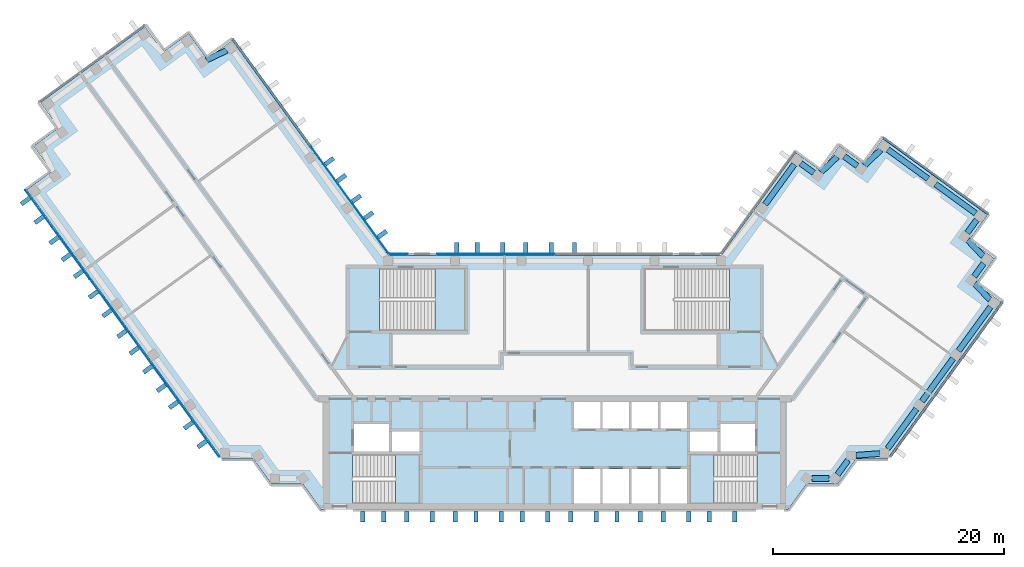
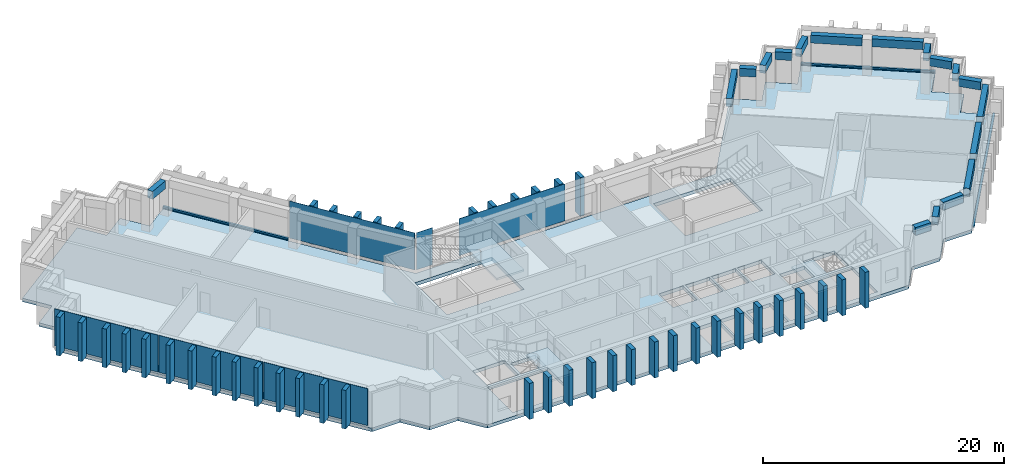
"""IFC4 building model written with IfcOpenShell, lengths in metres."""

from ifc_helpers import new_model, si_unit, direction, frame, origin, origin_2d, place, context, subcontext, project, spatial, polyline, rectangle, outline, extrude, material, layer, layer_set, material_profile, profile_set, type_object, element, aggregate, save


model = new_model("IFC4")

# Units and contexts
model_context = context("Model", 3, precision=1e-05, world=origin(), true_north=direction((0.0, 1.0)))
body_context = subcontext(model_context, "Body", "Model", "MODEL_VIEW")
ifc_project = project(units=[si_unit("LENGTHUNIT", "METRE"), si_unit("AREAUNIT", "SQUARE_METRE"), si_unit("VOLUMEUNIT", "CUBIC_METRE"), si_unit("PLANEANGLEUNIT", "RADIAN"), si_unit("MASSUNIT", "GRAM", prefix="KILO")], contexts=[model_context])

# Site, building, storey
site_placement = place(None, origin())
site = spatial("IfcSite", under=ifc_project, at=site_placement, CompositionType="ELEMENT")
building_placement = place(site_placement, origin())
building = spatial("IfcBuilding", under=site, at=building_placement, Name="Quipu Civic Tower", CompositionType="ELEMENT")
storey_1_placement = place(building_placement, frame((0.0, 0.0, 230.0)))
storey_1 = spatial("IfcBuildingStorey", under=building, at=storey_1_placement, Name="L54", CompositionType="ELEMENT", Elevation=230.0)

# Beams
ifc_material_1 = material(Name="Concrete C50/60", Category="concrete")
ifc_material_profile_1 = material_profile(ifc_material_1, rectangle(XDim=0.5, YDim=0.800048828125, at=origin_2d()), Name="RC500x800")
ifc_profile_set_1 = profile_set([ifc_material_profile_1], Name="Concrete C50/60")
beam_type = type_object("IfcBeamType", Name="Spandrel beam RC 500x800 C50/60", PredefinedType="SPANDREL", material=ifc_profile_set_1)
beam_1_placement = place(storey_1_placement, frame((-28.38720703125, 28.72998046875, 3.25), z_axis=(-0.902584802379, -0.430512107279, 0.0), x_axis=(0.430512107279, -0.902584802379, 0.0)))
element("IfcBeam", 1, at=beam_1_placement, inside=storey_1, type_object=beam_type, Name="Spandrel beam L54 T-Wi.0-W34 to T-Wi.1-W34", PredefinedType="SPANDREL", context=body_context, shape_type="SweptSolid", body=[
    extrude(rectangle(XDim=0.5, YDim=0.800048828125, at=origin_2d()), origin(), (0.0, 0.0, 1.0), 1.9326171875),
])
beam_2_placement = place(storey_1_placement, frame((22.2861328125, -8.31494140625, 3.25), z_axis=(1.0, 0.0, 0.0), x_axis=(0.0, 1.0, 0.0)))
element("IfcBeam", 2, at=beam_2_placement, inside=storey_1, type_object=beam_type, Name="Spandrel beam L54 J-Eo.1 to J-Eo.2", PredefinedType="SPANDREL", context=body_context, shape_type="SweptSolid", body=[
    extrude(rectangle(XDim=0.5, YDim=0.800048828125, at=origin_2d()), origin(), (0.0, 0.0, 1.0), 1.454345703125),
])
beam_3_placement = place(storey_1_placement, frame((24.470458984375, -7.991455078125, 3.25), z_axis=(0.588405601119, 0.808565920981, 0.0), x_axis=(-0.808565920981, 0.588405601119, 0.0)))
element("IfcBeam", 3, at=beam_3_placement, inside=storey_1, type_object=beam_type, Name="Spandrel beam L54 J-Eo.2 to J-Eo.3", PredefinedType="SPANDREL", context=body_context, shape_type="SweptSolid", body=[
    extrude(rectangle(XDim=0.5, YDim=0.800048828125, at=origin_2d()), origin(), (0.0, 0.0, 1.0), 1.55126953125),
])
beam_4_placement = place(storey_1_placement, frame((26.074462890625, -6.307861328125, 3.25), z_axis=(0.997372997143, 0.072436900614, 0.0), x_axis=(-0.072436900614, 0.997372997143, 0.0)))
element("IfcBeam", 4, at=beam_4_placement, inside=storey_1, type_object=beam_type, Name="Spandrel beam L54 J-Eo.3 to J-Eo.4", PredefinedType="SPANDREL", context=body_context, shape_type="SweptSolid", body=[
    extrude(rectangle(XDim=0.5, YDim=0.800048828125, at=origin_2d()), origin(), (0.0, 0.0, 1.0), 2.055908203125),
])
beam_5_placement = place(storey_1_placement, frame((28.815673828125, -5.72998046875, 3.25), z_axis=(0.58776850526, 0.809029161541, 0.0), x_axis=(-0.809029161541, 0.58776850526, 0.0)))
element("IfcBeam", 5, at=beam_5_placement, inside=storey_1, type_object=beam_type, Name="Spandrel beam L54 J-Eo.4 to E-OUT-01", PredefinedType="SPANDREL", context=body_context, shape_type="SweptSolid", body=[
    extrude(rectangle(XDim=0.5, YDim=0.800048828125, at=origin_2d()), origin(), (0.0, 0.0, 1.0), 4.249267578125),
])
beam_6_placement = place(storey_1_placement, frame((31.783447265625, -1.64501953125, 3.25), z_axis=(0.587796098864, 0.809009113768, 0.0), x_axis=(-0.809009113768, 0.587796098864, 0.0)))
element("IfcBeam", 6, at=beam_6_placement, inside=storey_1, type_object=beam_type, Name="Spandrel beam L54 E-OUT-01 to E-OUT-02", PredefinedType="SPANDREL", context=body_context, shape_type="SweptSolid", body=[
    extrude(rectangle(XDim=0.5, YDim=0.800048828125, at=origin_2d()), origin(), (0.0, 0.0, 1.0), 4.60009765625),
])
beam_7_placement = place(storey_1_placement, frame((34.95751953125, 2.7236328125, 3.25), z_axis=(0.587891029962, 0.808940131833, 0.0), x_axis=(-0.808940131833, 0.587891029962, 0.0)))
element("IfcBeam", 7, at=beam_7_placement, inside=storey_1, type_object=beam_type, Name="Spandrel beam L54 E-OUT-02 to T-Eo.0-E22", PredefinedType="SPANDREL", context=body_context, shape_type="SweptSolid", body=[
    extrude(rectangle(XDim=0.5, YDim=0.800048828125, at=origin_2d()), origin(), (0.0, 0.0, 1.0), 4.707275390625),
])
beam_8_placement = place(storey_1_placement, frame((37.6796875, 7.149658203125, 3.25), z_axis=(-0.689191109061, 0.724579612735, 0.0), x_axis=(-0.724579612735, -0.689191109061, 0.0)))
element("IfcBeam", 8, at=beam_8_placement, inside=storey_1, type_object=beam_type, Name="Spandrel beam L54 T-Eo.0-E22 to T-Eo.1-E22", PredefinedType="SPANDREL", context=body_context, shape_type="SweptSolid", body=[
    extrude(rectangle(XDim=0.5, YDim=0.800048828125, at=origin_2d()), origin(), (0.0, 0.0, 1.0), 1.931640625),
])
beam_9_placement = place(storey_1_placement, frame((36.302978515625, 9.16796875, 3.25), z_axis=(0.58725897397, 0.809399096547, 0.0), x_axis=(-0.809399096547, 0.58725897397, 0.0)))
element("IfcBeam", 9, at=beam_9_placement, inside=storey_1, type_object=beam_type, Name="Spandrel beam L54 T-Eo.1-E22 to T-Eo.2-E22", PredefinedType="SPANDREL", context=body_context, shape_type="SweptSolid", body=[
    extrude(rectangle(XDim=0.5, YDim=0.800048828125, at=origin_2d()), origin(), (0.0, 0.0, 1.0), 1.400146484375),
])
beam_10_placement = place(storey_1_placement, frame((37.080078125, 10.920166015625, 3.25), z_axis=(-0.688280901551, 0.725444278053, 0.0), x_axis=(-0.725444278053, -0.688280901551, 0.0)))
element("IfcBeam", 10, at=beam_10_placement, inside=storey_1, type_object=beam_type, Name="Spandrel beam L54 T-Eo.2-E22 to T-Eo.3-E22", PredefinedType="SPANDREL", context=body_context, shape_type="SweptSolid", body=[
    extrude(rectangle(XDim=0.5, YDim=0.800048828125, at=origin_2d()), origin(), (0.0, 0.0, 1.0), 1.931396484375),
])
beam_11_placement = place(storey_1_placement, frame((35.7060546875, 12.93994140625, 3.25), z_axis=(0.58841024035, 0.808562544922, 0.0), x_axis=(-0.808562544922, 0.58841024035, 0.0)))
element("IfcBeam", 11, at=beam_11_placement, inside=storey_1, type_object=beam_type, Name="Spandrel beam L54 T-Eo.3-E22 to T-Eo.4-E22", PredefinedType="SPANDREL", context=body_context, shape_type="SweptSolid", body=[
    extrude(rectangle(XDim=0.5, YDim=0.800048828125, at=origin_2d()), origin(), (0.0, 0.0, 1.0), 1.3994140625),
])
beam_12_placement = place(storey_1_placement, frame((36.44140625, 14.630126953125, 3.25), z_axis=(-0.809153076016, 0.587597906373, 0.0), x_axis=(-0.587597906373, -0.809153076016, 0.0)))
element("IfcBeam", 12, at=beam_12_placement, inside=storey_1, type_object=beam_type, Name="Spandrel beam L54 T-Eo.4-E22 to TIP-E-01-E22", PredefinedType="SPANDREL", context=body_context, shape_type="SweptSolid", body=[
    extrude(rectangle(XDim=0.5, YDim=0.800048828125, at=origin_2d()), origin(), (0.0, 0.0, 1.0), 4.302001953125),
])
beam_13_placement = place(storey_1_placement, frame((32.313232421875, 17.6279296875, 3.25), z_axis=(-0.80911644178, 0.587648350327, 0.0), x_axis=(-0.587648350327, -0.80911644178, 0.0)))
element("IfcBeam", 13, at=beam_13_placement, inside=storey_1, type_object=beam_type, Name="Spandrel beam L54 TIP-E-01-E22 to T-Ei.0-E22", PredefinedType="SPANDREL", context=body_context, shape_type="SweptSolid", body=[
    extrude(rectangle(XDim=0.5, YDim=0.800048828125, at=origin_2d()), origin(), (0.0, 0.0, 1.0), 4.30029296875),
])
beam_14_placement = place(storey_1_placement, frame((28.21484375, 20.10986328125, 3.25), z_axis=(-0.725384387405, -0.688344020464, 0.0), x_axis=(0.688344020464, -0.725384387405, 0.0)))
element("IfcBeam", 14, at=beam_14_placement, inside=storey_1, type_object=beam_type, Name="Spandrel beam L54 T-Ei.0-E22 to T-Ei.1-E22", PredefinedType="SPANDREL", context=body_context, shape_type="SweptSolid", body=[
    extrude(rectangle(XDim=0.5, YDim=0.800048828125, at=origin_2d()), origin(), (0.0, 0.0, 1.0), 1.93115234375),
])
beam_15_placement = place(storey_1_placement, frame((26.195556640625, 18.73583984375, 3.25), z_axis=(-0.808600329101, 0.588358315805, 0.0), x_axis=(-0.588358315805, -0.808600329101, 0.0)))
element("IfcBeam", 15, at=beam_15_placement, inside=storey_1, type_object=beam_type, Name="Spandrel beam L54 T-Ei.1-E22 to T-Ei.2-E22", PredefinedType="SPANDREL", context=body_context, shape_type="SweptSolid", body=[
    extrude(rectangle(XDim=0.5, YDim=0.800048828125, at=origin_2d()), origin(), (0.0, 0.0, 1.0), 1.400146484375),
])
beam_16_placement = place(storey_1_placement, frame((24.445068359375, 19.514892578125, 3.25), z_axis=(-0.72506883804, -0.688676397232, 0.0), x_axis=(0.688676397232, -0.72506883804, 0.0)))
element("IfcBeam", 16, at=beam_16_placement, inside=storey_1, type_object=beam_type, Name="Spandrel beam L54 T-Ei.2-E22 to T-Ei.3-E22", PredefinedType="SPANDREL", context=body_context, shape_type="SweptSolid", body=[
    extrude(rectangle(XDim=0.5, YDim=0.800048828125, at=origin_2d()), origin(), (0.0, 0.0, 1.0), 1.93212890625),
])
beam_17_placement = place(storey_1_placement, frame((22.425537109375, 18.13916015625, 3.25), z_axis=(-0.809452764948, 0.587184997524, 0.0), x_axis=(-0.587184997524, -0.809452764948, 0.0)))
element("IfcBeam", 17, at=beam_17_placement, inside=storey_1, type_object=beam_type, Name="Spandrel beam L54 T-Ei.3-E22 to T-Ei.4-E22", PredefinedType="SPANDREL", context=body_context, shape_type="SweptSolid", body=[
    extrude(rectangle(XDim=0.5, YDim=0.800048828125, at=origin_2d()), origin(), (0.0, 0.0, 1.0), 1.398193359375),
])
beam_18_placement = place(storey_1_placement, frame((20.734619140625, 18.87158203125, 3.25), z_axis=(-0.58812775221, -0.808768042816, 0.0), x_axis=(0.808768042816, -0.58812775221, 0.0)))
element("IfcBeam", 18, at=beam_18_placement, inside=storey_1, type_object=beam_type, Name="Spandrel beam L54 T-Ei.4-E22 to E-IN-01", PredefinedType="SPANDREL", context=body_context, shape_type="SweptSolid", body=[
    extrude(rectangle(XDim=0.5, YDim=0.800048828125, at=origin_2d()), origin(), (0.0, 0.0, 1.0), 4.29443359375),
])

# Storey
storey_2_placement = place(building_placement, frame((0.0, 0.0, 222.0)))
storey_2 = spatial("IfcBuildingStorey", under=building, at=storey_2_placement, Name="L52", CompositionType="ELEMENT", Elevation=222.0)

# Curtain wall, member
ifc_material_2 = material(Name="Insulated glass unit", Category="glass")
curtain_wall_type = type_object("IfcCurtainWallType", Name="Office curtain wall CW1", PredefinedType="NOTDEFINED", material=ifc_material_2)
curtain_wall_1_placement = place(storey_2_placement, origin())
curtain_wall_1 = element("IfcCurtainWall", 19, at=curtain_wall_1_placement, inside=storey_2, type_object=curtain_wall_type, Name="Office curtain wall CW1 L51 run 1", PredefinedType="NOTDEFINED")
ifc_material_3 = material(Name="Anodised aluminium", Category="aluminium")
ifc_material_profile_2 = material_profile(ifc_material_3, rectangle(XDim=0.199951171875, YDim=0.159912109375, at=origin_2d()), Name="RECT 200x160")
ifc_profile_set_2 = profile_set([ifc_material_profile_2], Name="Anodised aluminium")
member_type = type_object("IfcMemberType", Name="Transom CW1", PredefinedType="USERDEFINED", material=ifc_profile_set_2)
member_1_placement = place(storey_1_placement, frame((-21.140380859375, 20.453857421875, 0.0), z_axis=(-0.587775682251, 0.809023947331, 0.0), x_axis=(-0.809023947331, -0.587775682251, 0.0)))
member_1 = element("IfcMember", 20, at=member_1_placement, inside=storey_1, type_object=member_type, Name="CW1 transom 2.4", ObjectType="TRANSOM", PredefinedType="USERDEFINED", context=body_context, shape_type="SweptSolid", body=[
    extrude(rectangle(XDim=0.199951171875, YDim=0.159912109375, at=origin_2d()), origin(), (0.0, 0.0, 1.0), 11.402099609375),
])
aggregate(curtain_wall_1, [member_1])

curtain_wall_2_placement = place(storey_2_placement, origin())
curtain_wall_2 = element("IfcCurtainWall", 21, at=curtain_wall_2_placement, inside=storey_2, type_object=curtain_wall_type, Name="Office curtain wall CW1 L51 run 21", PredefinedType="NOTDEFINED")
member_2_placement = place(storey_1_placement, frame((37.536865234375, 14.575927734375, 0.0), z_axis=(-0.809022463805, 0.587777724194, 0.0), x_axis=(-0.587777724194, -0.809022463805, 0.0)))
member_2 = element("IfcMember", 22, at=member_2_placement, inside=storey_1, type_object=member_type, Name="CW1 transom 1.4", ObjectType="TRANSOM", PredefinedType="USERDEFINED", context=body_context, shape_type="SweptSolid", body=[
    extrude(rectangle(XDim=0.199951171875, YDim=0.159912109375, at=origin_2d()), origin(), (0.0, 0.0, 1.0), 11.240234375),
])
aggregate(curtain_wall_2, [member_2])

# Storey
storey_3_placement = place(building_placement, frame((0.0, 0.0, 226.0)))
storey_3 = spatial("IfcBuildingStorey", under=building, at=storey_3_placement, Name="L53", CompositionType="ELEMENT", Elevation=226.0)

# Curtain wall, members
curtain_wall_3_placement = place(storey_3_placement, origin())
curtain_wall_3 = element("IfcCurtainWall", 23, at=curtain_wall_3_placement, inside=storey_3, type_object=curtain_wall_type, Name="Office curtain wall CW1 L52 run 4", PredefinedType="NOTDEFINED")
member_3_placement = place(storey_1_placement, frame((29.052978515625, -6.424072265625, 0.080078125), z_axis=(0.587780770372, 0.809020250662, 0.0), x_axis=(-0.809020250662, 0.587780770372, 0.0)))
member_3 = element("IfcMember", 24, at=member_3_placement, inside=storey_1, type_object=member_type, Name="CW1 transom 1.3", ObjectType="TRANSOM", PredefinedType="USERDEFINED", context=body_context, shape_type="SweptSolid", body=[
    extrude(rectangle(XDim=0.199951171875, YDim=0.159912109375, at=origin_2d()), origin(), (0.0, 0.0, 1.0), 8.2080078125),
])
member_4_placement = place(storey_1_placement, frame((33.924560546875, 0.281005859375, 0.080078125), z_axis=(0.587780770372, 0.809020250662, 0.0), x_axis=(-0.809020250662, 0.587780770372, 0.0)))
member_4 = element("IfcMember", 25, at=member_4_placement, inside=storey_1, type_object=member_type, Name="CW1 transom 2.3", ObjectType="TRANSOM", PredefinedType="USERDEFINED", context=body_context, shape_type="SweptSolid", body=[
    extrude(rectangle(XDim=0.199951171875, YDim=0.159912109375, at=origin_2d()), origin(), (0.0, 0.0, 1.0), 8.2080078125),
])
aggregate(curtain_wall_3, [member_3, member_4])

# Storey
storey_4_placement = place(building_placement, frame((0.0, 0.0, 234.0)))
storey_4 = spatial("IfcBuildingStorey", under=building, at=storey_4_placement, Name="L55", CompositionType="ELEMENT", Elevation=234.0)

# Curtain wall, member
curtain_wall_4_placement = place(storey_4_placement, origin())
curtain_wall_4 = element("IfcCurtainWall", 26, at=curtain_wall_4_placement, inside=storey_4, type_object=curtain_wall_type, Name="Office curtain wall CW1 L54 run 1", PredefinedType="NOTDEFINED")
member_5_placement = place(storey_1_placement, frame((-21.140380859375, 20.453857421875, 0.159912109375), z_axis=(-0.587775682251, 0.809023947331, 0.0), x_axis=(-0.809023947331, -0.587775682251, 0.0)))
member_5 = element("IfcMember", 27, at=member_5_placement, inside=storey_1, type_object=member_type, Name="CW1 transom 2.1", ObjectType="TRANSOM", PredefinedType="USERDEFINED", context=body_context, shape_type="SweptSolid", body=[
    extrude(rectangle(XDim=0.199951171875, YDim=0.159912109375, at=origin_2d()), origin(), (0.0, 0.0, 1.0), 11.402099609375),
])

curtain_wall_5_placement = place(storey_4_placement, origin())
curtain_wall_5 = element("IfcCurtainWall", 28, at=curtain_wall_5_placement, inside=storey_4, type_object=curtain_wall_type, Name="Office curtain wall CW1 L54 run 21", PredefinedType="NOTDEFINED")
member_6_placement = place(storey_1_placement, frame((37.536865234375, 14.575927734375, 0.159912109375), z_axis=(-0.809022463805, 0.587777724194, 0.0), x_axis=(-0.587777724194, -0.809022463805, 0.0)))
member_6 = element("IfcMember", 29, at=member_6_placement, inside=storey_1, type_object=member_type, Name="CW1 transom 1.1", ObjectType="TRANSOM", PredefinedType="USERDEFINED", context=body_context, shape_type="SweptSolid", body=[
    extrude(rectangle(XDim=0.199951171875, YDim=0.159912109375, at=origin_2d()), origin(), (0.0, 0.0, 1.0), 11.240234375),
])
aggregate(curtain_wall_5, [member_6])

# Slab
ifc_material_4 = material(Name="Concrete C40/50", Category="concrete")
ifc_layer_1 = layer(ifc_material_4, 0.35009765625)
ifc_layer_set_1 = layer_set([ifc_layer_1], Name="Concrete C40/50")
slab_type_1 = type_object("IfcSlabType", Name="Floor slab 350 C40/50", PredefinedType="FLOOR", material=ifc_layer_set_1)
slab_1_placement = place(storey_1_placement, frame((0.0, 0.0, -0.35009765625)))
element("IfcSlab", 30, at=slab_1_placement, inside=storey_1, type_object=slab_type_1, Name="Floor slab L54", PredefinedType="FLOOR", context=body_context, shape_type="SweptSolid", body=[
    extrude(outline(polyline([(20.860107421875, 19.89501953125), (23.0400390625, 18.31005859375), (24.6298828125, 20.4951171875), (26.81494140625, 18.905029296875), (28.39990234375, 21.090087890625), (37.4599609375, 14.5048828125), (35.875, 12.320068359375), (38.06005859375, 10.735107421875), (36.469970703125, 8.550048828125), (38.655029296875, 6.965087890625), (28.780029296875, -6.6298828125), (26.080078125, -6.6298828125), (24.489990234375, -8.81494140625), (21.7900390625, -8.81494140625), (20.205078125, -11.0), (-20.205078125, -11.0), (-21.7900390625, -8.81494140625), (-24.489990234375, -8.81494140625), (-26.080078125, -6.6298828125), (-28.780029296875, -6.6298828125), (-45.7099609375, 16.669921875), (-43.52490234375, 18.260009765625), (-45.114990234375, 20.445068359375), (-42.929931640625, 22.030029296875), (-44.514892578125, 24.215087890625), (-35.455078125, 30.800048828125), (-33.864990234375, 28.614990234375), (-31.68505859375, 30.199951171875), (-30.094970703125, 28.014892578125), (-27.909912109375, 29.60498046875), (-14.39501953125, 11.0), (14.39501953125, 11.0), (20.860107421875, 19.89501953125)]), holes=[polyline([(1.64990234375, -7.5), (1.64990234375, -10.5), (3.949951171875, -10.5), (3.949951171875, -7.5), (1.64990234375, -7.5)]), polyline([(4.14990234375, -7.5), (4.14990234375, -10.5), (6.449951171875, -10.5), (6.449951171875, -7.5), (4.14990234375, -7.5)]), polyline([(-11.705078125, -6.2548828125), (-17.4951171875, -6.2548828125), (-17.4951171875, -10.4951171875), (-11.705078125, -10.4951171875), (-11.705078125, -6.2548828125)]), polyline([(-14.10009765625, -4.25), (-14.10009765625, -6.0), (-11.699951171875, -6.0), (-11.699951171875, -4.25), (-14.10009765625, -4.25)]), polyline([(-17.35009765625, -3.60009765625), (-17.35009765625, -6.0), (-14.35009765625, -6.0), (-14.35009765625, -3.60009765625), (-17.35009765625, -3.60009765625)]), polyline([(1.64990234375, -1.699951171875), (1.64990234375, -4.0), (3.949951171875, -4.0), (3.949951171875, -1.699951171875), (1.64990234375, -1.699951171875)]), polyline([(4.14990234375, -1.699951171875), (4.14990234375, -4.0), (6.449951171875, -4.0), (6.449951171875, -1.699951171875), (4.14990234375, -1.699951171875)]), polyline([(-7.7548828125, 9.844970703125), (-15.14501953125, 9.844970703125), (-15.14501953125, 4.5048828125), (-7.7548828125, 4.5048828125), (-7.7548828125, 9.844970703125)]), polyline([(6.64990234375, -7.5), (6.64990234375, -10.5), (8.949951171875, -10.5), (8.949951171875, -7.5), (6.64990234375, -7.5)]), polyline([(9.14990234375, -7.5), (9.14990234375, -10.5), (11.449951171875, -10.5), (11.449951171875, -7.5), (9.14990234375, -7.5)]), polyline([(11.705078125, -10.4951171875), (17.4951171875, -10.4951171875), (17.4951171875, -6.2548828125), (11.705078125, -6.2548828125), (11.705078125, -10.4951171875)]), polyline([(11.699951171875, -4.25), (11.699951171875, -6.0), (14.10009765625, -6.0), (14.10009765625, -4.25), (11.699951171875, -4.25)]), polyline([(14.35009765625, -3.60009765625), (14.35009765625, -6.0), (17.35009765625, -6.0), (17.35009765625, -3.60009765625), (14.35009765625, -3.60009765625)]), polyline([(6.64990234375, -1.699951171875), (6.64990234375, -4.0), (8.949951171875, -4.0), (8.949951171875, -1.699951171875), (6.64990234375, -1.699951171875)]), polyline([(9.14990234375, -1.699951171875), (9.14990234375, -4.0), (11.449951171875, -4.0), (11.449951171875, -1.699951171875), (9.14990234375, -1.699951171875)]), polyline([(7.7548828125, 4.5048828125), (15.14501953125, 4.5048828125), (15.14501953125, 9.844970703125), (7.7548828125, 9.844970703125), (7.7548828125, 4.5048828125)])]), origin(), (0.0, 0.0, 1.0), 0.35009765625),
])

# Plate
ifc_material_5 = material(Name="Insulated glass unit", Category="glass")
ifc_layer_2 = layer(ifc_material_5, 0.028076171875)
ifc_layer_set_2 = layer_set([ifc_layer_2], Name="Insulated glass unit")
plate_type_1 = type_object("IfcPlateType", Name="Glass panel CW1", PredefinedType="CURTAIN_PANEL", material=ifc_layer_set_2)
plate_1_placement = place(storey_1_placement, frame((-17.7421875, 15.777099609375, 0.240234375), z_axis=(0.0, 0.0, 1.0), x_axis=(-0.587788727052, 0.809014469803, 0.0)))
plate_1 = element("IfcPlate", 31, at=plate_1_placement, inside=storey_1, type_object=plate_type_1, Name="CW1 panel 1.1", PredefinedType="CURTAIN_PANEL", context=body_context, shape_type="SweptSolid", body=[
    extrude(rectangle(XDim=11.402099609375, YDim=0.028076171875, at=origin_2d()), origin(), (0.0, 0.0, 1.0), 3.760009765625),
])

aggregate(curtain_wall_4, [plate_1, member_5])

# Curtain wall, plates
curtain_wall_6_placement = place(storey_4_placement, origin())
curtain_wall_6 = element("IfcCurtainWall", 32, at=curtain_wall_6_placement, inside=storey_4, type_object=curtain_wall_type, Name="Office curtain wall CW1 L54 run 11", PredefinedType="NOTDEFINED")
plate_2_placement = place(storey_1_placement, frame((-43.030517578125, 12.814208984375, 0.240234375), z_axis=(0.0, 0.0, 1.0), x_axis=(0.5877856923, -0.80901667469, 0.0)))
plate_2 = element("IfcPlate", 33, at=plate_2_placement, inside=storey_1, type_object=plate_type_1, Name="CW1 panel 1.1", PredefinedType="CURTAIN_PANEL", context=body_context, shape_type="SweptSolid", body=[
    extrude(rectangle(XDim=9.43212890625, YDim=0.028076171875, at=origin_2d()), origin(), (0.0, 0.0, 1.0), 3.760009765625),
])
plate_3_placement = place(storey_1_placement, frame((-37.427734375, 5.102783203125, 0.240234375), z_axis=(0.0, 0.0, 1.0), x_axis=(0.5877856923, -0.80901667469, 0.0)))
plate_3 = element("IfcPlate", 34, at=plate_3_placement, inside=storey_1, type_object=plate_type_1, Name="CW1 panel 2.1", PredefinedType="CURTAIN_PANEL", context=body_context, shape_type="SweptSolid", body=[
    extrude(rectangle(XDim=9.471923828125, YDim=0.028076171875, at=origin_2d()), origin(), (0.0, 0.0, 1.0), 3.760009765625),
])
plate_4_placement = place(storey_1_placement, frame((-31.824951171875, -2.60888671875, 0.240234375), z_axis=(0.0, 0.0, 1.0), x_axis=(0.5877856923, -0.80901667469, 0.0)))
plate_4 = element("IfcPlate", 35, at=plate_4_placement, inside=storey_1, type_object=plate_type_1, Name="CW1 panel 3.1", PredefinedType="CURTAIN_PANEL", context=body_context, shape_type="SweptSolid", body=[
    extrude(rectangle(XDim=9.43212890625, YDim=0.028076171875, at=origin_2d()), origin(), (0.0, 0.0, 1.0), 3.760009765625),
])
aggregate(curtain_wall_6, [plate_2, plate_3, plate_4])

# Curtain wall, plate
curtain_wall_7_placement = place(storey_4_placement, origin())
curtain_wall_7 = element("IfcCurtainWall", 36, at=curtain_wall_7_placement, inside=storey_4, type_object=curtain_wall_type, Name="Office curtain wall CW1 L54 run 29", PredefinedType="NOTDEFINED")
plate_5_placement = place(storey_1_placement, frame((-5.11181640625, 11.10009765625, 0.240234375), z_axis=(0.0, 0.0, 1.0), x_axis=(-1.0, 0.0, 0.0)))
plate_5 = element("IfcPlate", 37, at=plate_5_placement, inside=storey_1, type_object=plate_type_1, Name="CW1 panel 2.1", PredefinedType="CURTAIN_PANEL", context=body_context, shape_type="SweptSolid", body=[
    extrude(rectangle(XDim=10.1435546875, YDim=0.028076171875, at=origin_2d()), origin(), (0.0, 0.0, 1.0), 3.760009765625),
])
aggregate(curtain_wall_7, [plate_5])

curtain_wall_8_placement = place(storey_4_placement, origin())
curtain_wall_8 = element("IfcCurtainWall", 38, at=curtain_wall_8_placement, inside=storey_4, type_object=curtain_wall_type, Name="Office curtain wall CW1 L54 run 31", PredefinedType="NOTDEFINED")
plate_6_placement = place(storey_1_placement, frame((-13.49951171875, 11.10009765625, 0.240234375), z_axis=(0.0, 0.0, 1.0), x_axis=(-1.0, 0.0, 0.0)))
plate_6 = element("IfcPlate", 39, at=plate_6_placement, inside=storey_1, type_object=plate_type_1, Name="CW1 panel 1.1", PredefinedType="CURTAIN_PANEL", context=body_context, shape_type="SweptSolid", body=[
    extrude(rectangle(XDim=1.529296875, YDim=0.028076171875, at=origin_2d()), origin(), (0.0, 0.0, 1.0), 3.760009765625),
])
aggregate(curtain_wall_8, [plate_6])

# Plates
ifc_material_6 = material(Name="Precast concrete C40/50", Category="concrete")
plate_type_2 = type_object("IfcPlateType", Name="Precast fin F2", PredefinedType="SHEET", material=ifc_material_6)
for number, where, z_axis, x_axis, name in (
    (40, (-14.92138671875, 12.830078125, 0.080078125), (0.0, 0.0, 1.0), (-0.587787133119, 0.809015627871, 0.0), "Precast fin F2 L54.1.1"),
    (41, (-16.09716796875, 14.4482421875, 0.080078125), (0.0, 0.0, 1.0), (-0.587787133119, 0.809015627871, 0.0), "Precast fin F2 L54.1.2"),
    (42, (-17.155029296875, 15.904541015625, 0.080078125), (0.0, 0.0, 1.0), (-0.587787133119, 0.809015627871, 0.0), "Precast fin F2 L54.1.3"),
    (43, (-18.4482421875, 17.684326171875, 0.080078125), (0.0, 0.0, 1.0), (-0.587787133119, 0.809015627871, 0.0), "Precast fin F2 L54.1.4"),
    (44, (-19.506103515625, 19.140625, 0.080078125), (0.0, 0.0, 1.0), (-0.587787133119, 0.809015627871, 0.0), "Precast fin F2 L54.1.5"),
    (45, (-45.80078125, 15.69140625, 0.080078125), (0.0, 0.0, 1.0), (0.587785620359, -0.809016726959, 0.0), "Precast fin F2 L54.11.1"),
    (46, (-44.625244140625, 14.073486328125, 0.080078125), (0.0, 0.0, 1.0), (0.587785620359, -0.809016726959, 0.0), "Precast fin F2 L54.11.2"),
    (47, (-43.33203125, 12.293701171875, 0.080078125), (0.0, 0.0, 1.0), (0.587785620359, -0.809016726959, 0.0), "Precast fin F2 L54.11.3"),
    (48, (-42.27392578125, 10.83740234375, 0.080078125), (0.0, 0.0, 1.0), (0.587785620359, -0.809016726959, 0.0), "Precast fin F2 L54.11.4"),
    (49, (-41.216064453125, 9.381103515625, 0.080078125), (0.0, 0.0, 1.0), (0.587785620359, -0.809016726959, 0.0), "Precast fin F2 L54.11.5"),
    (50, (-39.9228515625, 7.601318359375, 0.080078125), (0.0, 0.0, 1.0), (0.587785620359, -0.809016726959, 0.0), "Precast fin F2 L54.11.6"),
    (51, (-38.747314453125, 5.983154296875, 0.080078125), (0.0, 0.0, 1.0), (0.587785620359, -0.809016726959, 0.0), "Precast fin F2 L54.11.7"),
    (52, (-37.4541015625, 4.203369140625, 0.080078125), (0.0, 0.0, 1.0), (0.587785620359, -0.809016726959, 0.0), "Precast fin F2 L54.11.8"),
    (53, (-36.396240234375, 2.747314453125, 0.080078125), (0.0, 0.0, 1.0), (0.587785620359, -0.809016726959, 0.0), "Precast fin F2 L54.11.9"),
    (54, (-35.220458984375, 1.129150390625, 0.080078125), (0.0, 0.0, 1.0), (0.587785620359, -0.809016726959, 0.0), "Precast fin F2 L54.11.10"),
    (55, (-34.044921875, -0.48876953125, 0.080078125), (0.0, 0.0, 1.0), (0.587785620359, -0.809016726959, 0.0), "Precast fin F2 L54.11.11"),
    (56, (-32.987060546875, -1.945068359375, 0.080078125), (0.0, 0.0, 1.0), (0.587785620359, -0.809016726959, 0.0), "Precast fin F2 L54.11.12"),
    (57, (-31.69384765625, -3.724853515625, 0.080078125), (0.0, 0.0, 1.0), (0.587785620359, -0.809016726959, 0.0), "Precast fin F2 L54.11.13"),
    (58, (-30.518310546875, -5.343017578125, 0.080078125), (0.0, 0.0, 1.0), (0.587785620359, -0.809016726959, 0.0), "Precast fin F2 L54.11.14"),
):
    element("IfcPlate", number, at=place(storey_1_placement, frame(where, z_axis=z_axis, x_axis=x_axis)), inside=storey_1, type_object=plate_type_2, Name=name, PredefinedType="SHEET", context=body_context, shape_type="SweptSolid", body=[
        extrude(rectangle(XDim=0.3798828125, YDim=0.89990234375, at=origin_2d()), origin(), (0.0, 0.0, 1.0), 3.919921875),
    ])
for number, where, z_axis, x_axis, name in (
    (59, (-16.610107421875, -11.637939453125, 0.0), (0.0, 0.0, 1.0), (1.0, 0.0, 0.0), "Precast fin F2 L54.17.1"),
    (60, (-14.81005859375, -11.637939453125, 0.0), (0.0, 0.0, 1.0), (1.0, 0.0, 0.0), "Precast fin F2 L54.17.2"),
    (61, (-12.81005859375, -11.637939453125, 0.0), (0.0, 0.0, 1.0), (1.0, 0.0, 0.0), "Precast fin F2 L54.17.3"),
    (62, (-10.610107421875, -11.637939453125, 0.0), (0.0, 0.0, 1.0), (1.0, 0.0, 0.0), "Precast fin F2 L54.17.4"),
    (63, (-8.610107421875, -11.637939453125, 0.0), (0.0, 0.0, 1.0), (1.0, 0.0, 0.0), "Precast fin F2 L54.17.5"),
    (64, (-6.81005859375, -11.637939453125, 0.0), (0.0, 0.0, 1.0), (1.0, 0.0, 0.0), "Precast fin F2 L54.17.6"),
    (65, (-4.610107421875, -11.637939453125, 0.0), (0.0, 0.0, 1.0), (1.0, 0.0, 0.0), "Precast fin F2 L54.17.7"),
    (66, (-2.81005859375, -11.637939453125, 0.0), (0.0, 0.0, 1.0), (1.0, 0.0, 0.0), "Precast fin F2 L54.17.8"),
    (67, (-0.610107421875, -11.637939453125, 0.0), (0.0, 0.0, 1.0), (1.0, 0.0, 0.0), "Precast fin F2 L54.17.9"),
    (68, (1.389892578125, -11.637939453125, 0.0), (0.0, 0.0, 1.0), (1.0, 0.0, 0.0), "Precast fin F2 L54.17.10"),
    (69, (3.590087890625, -11.637939453125, 0.0), (0.0, 0.0, 1.0), (1.0, 0.0, 0.0), "Precast fin F2 L54.17.11"),
    (70, (5.389892578125, -11.637939453125, 0.0), (0.0, 0.0, 1.0), (1.0, 0.0, 0.0), "Precast fin F2 L54.17.12"),
    (71, (7.389892578125, -11.637939453125, 0.0), (0.0, 0.0, 1.0), (1.0, 0.0, 0.0), "Precast fin F2 L54.17.13"),
    (72, (9.389892578125, -11.637939453125, 0.0), (0.0, 0.0, 1.0), (1.0, 0.0, 0.0), "Precast fin F2 L54.17.14"),
    (73, (11.590087890625, -11.637939453125, 0.0), (0.0, 0.0, 1.0), (1.0, 0.0, 0.0), "Precast fin F2 L54.17.15"),
    (74, (13.389892578125, -11.637939453125, 0.0), (0.0, 0.0, 1.0), (1.0, 0.0, 0.0), "Precast fin F2 L54.17.16"),
    (75, (15.590087890625, -11.637939453125, 0.0), (0.0, 0.0, 1.0), (1.0, 0.0, 0.0), "Precast fin F2 L54.17.17"),
):
    element("IfcPlate", number, at=place(storey_1_placement, frame(where, z_axis=z_axis, x_axis=x_axis)), inside=storey_1, type_object=plate_type_2, Name=name, PredefinedType="SHEET", context=body_context, shape_type="SweptSolid", body=[
        extrude(rectangle(XDim=0.3798828125, YDim=0.89990234375, at=origin_2d()), origin(), (0.0, 0.0, 1.0), 3.64990234375),
    ])
for number, where, z_axis, x_axis, name in (
    (76, (1.7099609375, 11.64990234375, 0.080078125), (0.0, 0.0, 1.0), (-1.0, 0.0, 0.0), "Precast fin F2 L54.29.5"),
    (77, (-0.2900390625, 11.64990234375, 0.080078125), (0.0, 0.0, 1.0), (-1.0, 0.0, 0.0), "Precast fin F2 L54.29.6"),
    (78, (-2.489990234375, 11.64990234375, 0.080078125), (0.0, 0.0, 1.0), (-1.0, 0.0, 0.0), "Precast fin F2 L54.29.7"),
    (79, (-4.489990234375, 11.64990234375, 0.080078125), (0.0, 0.0, 1.0), (-1.0, 0.0, 0.0), "Precast fin F2 L54.29.8"),
    (80, (-6.68994140625, 11.64990234375, 0.080078125), (0.0, 0.0, 1.0), (-1.0, 0.0, 0.0), "Precast fin F2 L54.29.9"),
    (81, (-8.489990234375, 11.64990234375, 0.080078125), (0.0, 0.0, 1.0), (-1.0, 0.0, 0.0), "Precast fin F2 L54.29.10"),
):
    element("IfcPlate", number, at=place(storey_1_placement, frame(where, z_axis=z_axis, x_axis=x_axis)), inside=storey_1, type_object=plate_type_2, Name=name, PredefinedType="SHEET", context=body_context, shape_type="SweptSolid", body=[
        extrude(rectangle(XDim=0.3798828125, YDim=0.89990234375, at=origin_2d()), origin(), (0.0, 0.0, 1.0), 3.919921875),
    ])

# Stair, slab
ifc_material_7 = material(Name="Concrete C40/50", Category="concrete")
stair_type_1 = type_object("IfcStairType", Name="Half turn stair 2000", PredefinedType="HALF_TURN_STAIR", material=ifc_material_7)
stair_1_placement = place(storey_1_placement, origin())
stair_1 = element("IfcStair", 82, at=stair_1_placement, inside=storey_1, type_object=stair_type_1, Name="Exit stair 1", PredefinedType="HALF_TURN_STAIR")
ifc_material_8 = material(Name="Concrete C40/50", Category="concrete")
ifc_layer_3 = layer(ifc_material_8, 0.199951171875)
ifc_layer_set_3 = layer_set([ifc_layer_3], Name="Concrete C40/50")
slab_type_2 = type_object("IfcSlabType", Name="Stair landing 200", PredefinedType="LANDING", material=ifc_layer_set_3)
slab_2_placement = place(storey_1_placement, frame((0.0, 0.0, 1.800048828125)))
slab_2 = element("IfcSlab", 83, at=slab_2_placement, type_object=slab_type_2, Name="ST-1 landing 1", PredefinedType="LANDING", context=body_context, shape_type="SweptSolid", body=[
    extrude(outline(polyline([(-13.780029296875, -10.5), (-11.699951171875, -10.5), (-11.699951171875, -6.25), (-13.780029296875, -6.25), (-13.780029296875, -10.5)])), origin(), (0.0, 0.0, 1.0), 0.199951171875),
])
aggregate(stair_1, [slab_2])

stair_2_placement = place(storey_1_placement, origin())
stair_2 = element("IfcStair", 84, at=stair_2_placement, inside=storey_1, type_object=stair_type_1, Name="Exit stair 2", PredefinedType="HALF_TURN_STAIR")
slab_3_placement = place(storey_1_placement, frame((0.0, 0.0, 1.800048828125)))
slab_3 = element("IfcSlab", 85, at=slab_3_placement, type_object=slab_type_2, Name="ST-2 landing 1", PredefinedType="LANDING", context=body_context, shape_type="SweptSolid", body=[
    extrude(outline(polyline([(13.780029296875, -6.25), (11.699951171875, -6.25), (11.699951171875, -10.5), (13.780029296875, -10.5), (13.780029296875, -6.25)])), origin(), (0.0, 0.0, 1.0), 0.199951171875),
])
aggregate(stair_2, [slab_3])

ifc_material_9 = material(Name="Concrete C40/50", Category="concrete")
stair_type_2 = type_object("IfcStairType", Name="Half turn stair 2600", PredefinedType="HALF_TURN_STAIR", material=ifc_material_9)
stair_3_placement = place(storey_1_placement, origin())
stair_3 = element("IfcStair", 86, at=stair_3_placement, inside=storey_1, type_object=stair_type_2, Name="Exit stair 3", PredefinedType="HALF_TURN_STAIR")
slab_4_placement = place(storey_1_placement, frame((0.0, 0.0, 1.800048828125)))
slab_4 = element("IfcSlab", 87, at=slab_4_placement, type_object=slab_type_2, Name="ST-3 landing 1", PredefinedType="LANDING", context=body_context, shape_type="SweptSolid", body=[
    extrude(outline(polyline([(-10.35009765625, 4.5), (-7.75, 4.5), (-7.75, 9.85009765625), (-10.35009765625, 9.85009765625), (-10.35009765625, 4.5)])), origin(), (0.0, 0.0, 1.0), 0.199951171875),
])
aggregate(stair_3, [slab_4])

save(model, "model.ifc")
